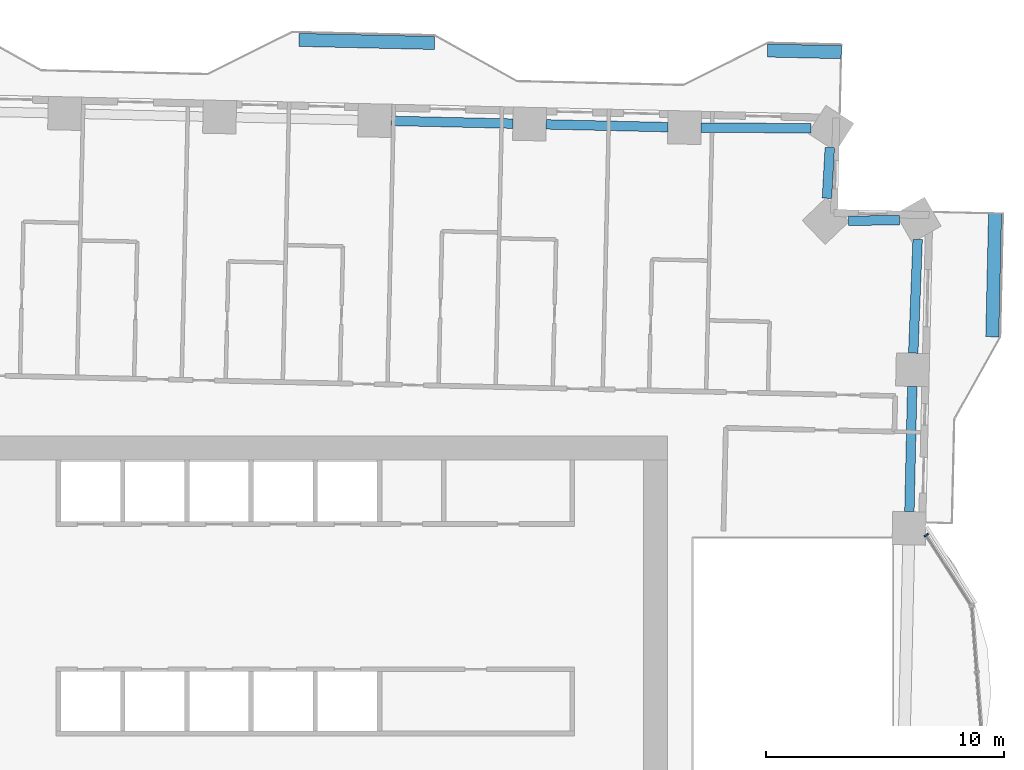
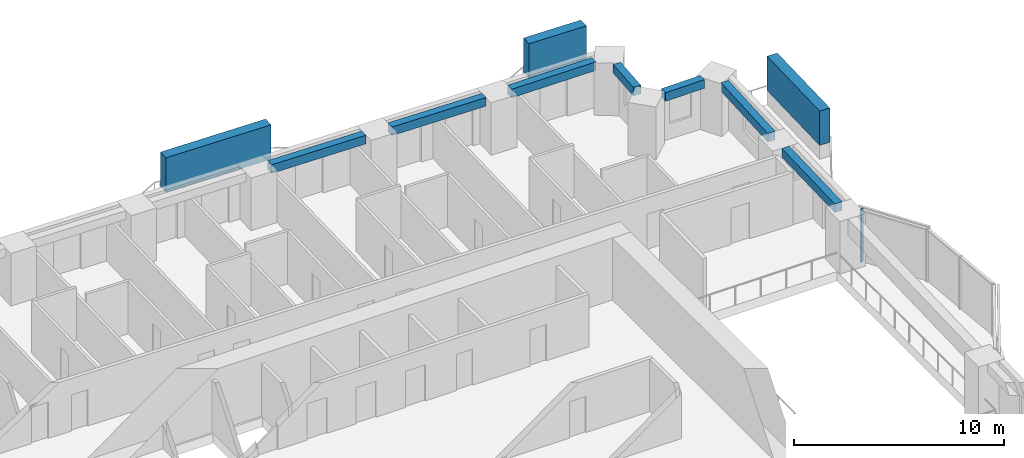
# One storey, part 4 of 16: 7 beams, 4 members, 1 element without a shape of its own.
"""IFC4 building model written with IfcOpenShell, lengths in metres."""

from ifc_helpers import new_model, si_unit, direction, frame, origin, origin_2d, place, context, subcontext, project, spatial, rectangle, extrude, material, material_profile, profile_set, type_object, element, aggregate, save


model = new_model("IFC4")

# Units and contexts
model_context = context("Model", 3, precision=1e-05, world=origin(), true_north=direction((0.0, 1.0)))
body_context = subcontext(model_context, "Body", "Model", "MODEL_VIEW")
ifc_project = project(units=[si_unit("LENGTHUNIT", "METRE"), si_unit("AREAUNIT", "SQUARE_METRE"), si_unit("VOLUMEUNIT", "CUBIC_METRE"), si_unit("PLANEANGLEUNIT", "RADIAN"), si_unit("MASSUNIT", "GRAM", prefix="KILO")], contexts=[model_context])

# Site, building, storey
site_placement = place(None, origin())
site = spatial("IfcSite", under=ifc_project, at=site_placement, CompositionType="ELEMENT")
building_placement = place(site_placement, origin())
building = spatial("IfcBuilding", under=site, at=building_placement, Name="Mangrove Gate Tower", CompositionType="ELEMENT")
storey_placement = place(building_placement, frame((0.0, 0.0, 101.89990234375)))
storey = spatial("IfcBuildingStorey", under=building, at=storey_placement, Name="L25", CompositionType="ELEMENT", Elevation=101.89990234375)

# Curtain wall, member
ifc_material_1 = material(Name="Aluminium and glass curtain wall", Category="aluminium")
curtain_wall_type = type_object("IfcCurtainWallType", Name="Atrium garden-court glazing wall", PredefinedType="NOTDEFINED", material=ifc_material_1)
curtain_wall_placement = place(storey_placement, origin())
curtain_wall = element("IfcCurtainWall", 1, at=curtain_wall_placement, inside=storey, type_object=curtain_wall_type, Name="Atrium garden-court glazing E1f3", PredefinedType="NOTDEFINED")
ifc_material_2 = material(Name="Aluminium alloy 6063-T6", Category="aluminium")
ifc_material_profile_1 = material_profile(ifc_material_2, rectangle(XDim=0.070068359375, YDim=0.199951171875, at=origin_2d()))
ifc_profile_set_1 = profile_set([ifc_material_profile_1], Name="Aluminium alloy 6063-T6")
member_type_1 = type_object("IfcMemberType", Name="Atrium garden-court glazing mullion 70x200", PredefinedType="MULLION", material=ifc_profile_set_1)
member_1_placement = place(storey_placement, frame((25.67626953125, 7.6337890625, 0.0), z_axis=(0.0, 0.0, 1.0), x_axis=(-0.540510523896, 0.841337253162, 0.0)))
member_1 = element("IfcMember", 2, at=member_1_placement, type_object=member_type_1, Name="CWA mullion 2", PredefinedType="MULLION", context=body_context, shape_type="SweptSolid", body=[
    extrude(rectangle(XDim=0.070068359375, YDim=0.199951171875, at=origin_2d()), origin(), (0.0, 0.0, 1.0), 3.050048828125),
])
aggregate(curtain_wall, [member_1])

# Members
ifc_material_3 = material(Name="Planting on aluminium trellis", Category="aluminium")
ifc_material_profile_2 = material_profile(ifc_material_3, rectangle(XDim=0.550048828125, YDim=2.0, at=origin_2d()))
ifc_profile_set_2 = profile_set([ifc_material_profile_2], Name="Planting on aluminium trellis")
member_type_2 = type_object("IfcMemberType", Name="Balcony greenery screen 550x2000", PredefinedType="USERDEFINED", material=ifc_profile_set_2)
member_2_placement = place(storey_placement, frame((28.451904296875, 15.971923828125, 1.800048828125), z_axis=(0.022726738515, 0.999741714322, 0.0), x_axis=(-0.999741714322, 0.022726738515, 0.0)))
element("IfcMember", 3, at=member_2_placement, inside=storey, type_object=member_type_2, Name="GREEN SCREEN L25 E1.1", ObjectType="PLANTING", PredefinedType="USERDEFINED", context=body_context, shape_type="SweptSolid", body=[
    extrude(rectangle(XDim=0.550048828125, YDim=2.0, at=origin_2d()), origin(), (0.0, 0.0, 1.0), 5.199462890625),
])
member_3_placement = place(storey_placement, frame((-0.69091796875, 28.450927734375, 1.800048828125), z_axis=(0.999744196375, -0.022617290187, 0.0), x_axis=(0.022617290187, 0.999744196375, 0.0)))
element("IfcMember", 4, at=member_3_placement, inside=storey, type_object=member_type_2, Name="GREEN SCREEN L25 N0.1", ObjectType="PLANTING", PredefinedType="USERDEFINED", context=body_context, shape_type="SweptSolid", body=[
    extrude(rectangle(XDim=0.550048828125, YDim=2.0, at=origin_2d()), origin(), (0.0, 0.0, 1.0), 5.699462890625),
])
member_4_placement = place(storey_placement, frame((19.0029296875, 28.00390625, 1.800048828125), z_axis=(0.999747085998, -0.022489198254, 0.0), x_axis=(0.022489198254, 0.999747085998, 0.0)))
element("IfcMember", 5, at=member_4_placement, inside=storey, type_object=member_type_2, Name="GREEN SCREEN L25 N0.2", ObjectType="PLANTING", PredefinedType="USERDEFINED", context=body_context, shape_type="SweptSolid", body=[
    extrude(rectangle(XDim=0.550048828125, YDim=2.0, at=origin_2d()), origin(), (0.0, 0.0, 1.0), 3.104736328125),
])

# Beams
ifc_material_4 = material(Name="Concrete C50/60", Category="concrete")
ifc_material_profile_3 = material_profile(ifc_material_4, rectangle(XDim=0.39990234375, YDim=0.5, at=origin_2d()))
ifc_profile_set_3 = profile_set([ifc_material_profile_3], Name="Concrete C50/60")
beam_type = type_object("IfcBeamType", Name="Edge beam RC 400x500 C50/60", PredefinedType="BEAM", material=ifc_profile_set_3)
beam_1_placement = place(storey_placement, frame((24.968994140625, 8.624755859375, 2.800048828125), z_axis=(0.022689785053, 0.999742553688, 0.0), x_axis=(-0.999742553688, 0.022689785053, 0.0)))
element("IfcBeam", 6, at=beam_1_placement, inside=storey, type_object=beam_type, Name="Edge beam L25 16", PredefinedType="BEAM", context=body_context, shape_type="SweptSolid", body=[
    extrude(rectangle(XDim=0.39990234375, YDim=0.5, at=origin_2d()), origin(), (0.0, 0.0, 1.0), 5.26171875),
])
beam_2_placement = place(storey_placement, frame((25.131103515625, 15.284423828125, 2.800048828125), z_axis=(0.038521415319, 0.999257774832, 0.0), x_axis=(-0.999257774832, 0.038521415319, 0.0)))
element("IfcBeam", 7, at=beam_2_placement, inside=storey, type_object=beam_type, Name="Edge beam L25 17", PredefinedType="BEAM", context=body_context, shape_type="SweptSolid", body=[
    extrude(rectangle(XDim=0.39990234375, YDim=0.5, at=origin_2d()), origin(), (0.0, 0.0, 1.0), 4.77880859375),
])
beam_3_placement = place(storey_placement, frame((24.546630859375, 20.8740234375, 2.800048828125), z_axis=(-0.999929581757, -0.011867245978, 0.0), x_axis=(0.011867245978, -0.999929581757, 0.0)))
element("IfcBeam", 8, at=beam_3_placement, inside=storey, type_object=beam_type, Name="Edge beam L25 18", PredefinedType="BEAM", context=body_context, shape_type="SweptSolid", body=[
    extrude(rectangle(XDim=0.39990234375, YDim=0.5, at=origin_2d()), origin(), (0.0, 0.0, 1.0), 2.1396484375),
])
beam_4_placement = place(storey_placement, frame((21.50341796875, 21.794677734375, 2.800048828125), z_axis=(0.055767490661, 0.998443782586, 0.0), x_axis=(-0.998443782586, 0.055767490661, 0.0)))
element("IfcBeam", 9, at=beam_4_placement, inside=storey, type_object=beam_type, Name="Edge beam L25 19", PredefinedType="BEAM", context=body_context, shape_type="SweptSolid", body=[
    extrude(rectangle(XDim=0.39990234375, YDim=0.5, at=origin_2d()), origin(), (0.0, 0.0, 1.0), 2.136474609375),
])
beam_5_placement = place(storey_placement, frame((20.83740234375, 24.736572265625, 2.800048828125), z_axis=(-0.999983412295, 0.005759786089, 0.0), x_axis=(-0.005759786089, -0.999983412295, 0.0)))
element("IfcBeam", 10, at=beam_5_placement, inside=storey, type_object=beam_type, Name="Edge beam L25 20", PredefinedType="BEAM", context=body_context, shape_type="SweptSolid", body=[
    extrude(rectangle(XDim=0.39990234375, YDim=0.5, at=origin_2d()), origin(), (0.0, 0.0, 1.0), 4.6201171875),
])
beam_6_placement = place(storey_placement, frame((14.8173828125, 24.783203125, 2.800048828125), z_axis=(-0.99974294325, 0.022672613896, 0.0), x_axis=(-0.022672613896, -0.99974294325, 0.0)))
element("IfcBeam", 11, at=beam_6_placement, inside=storey, type_object=beam_type, Name="Edge beam L25 21", PredefinedType="BEAM", context=body_context, shape_type="SweptSolid", body=[
    extrude(rectangle(XDim=0.39990234375, YDim=0.5, at=origin_2d()), origin(), (0.0, 0.0, 1.0), 5.11474609375),
])
beam_7_placement = place(storey_placement, frame((8.30419921875, 24.93115234375, 2.800048828125), z_axis=(-0.99974193409, 0.022717068963, 0.0), x_axis=(-0.022717068963, -0.99974193409, 0.0)))
element("IfcBeam", 12, at=beam_7_placement, inside=storey, type_object=beam_type, Name="Edge beam L25 22", PredefinedType="BEAM", context=body_context, shape_type="SweptSolid", body=[
    extrude(rectangle(XDim=0.39990234375, YDim=0.5, at=origin_2d()), origin(), (0.0, 0.0, 1.0), 5.115478515625),
])

save(model, "model.ifc")
